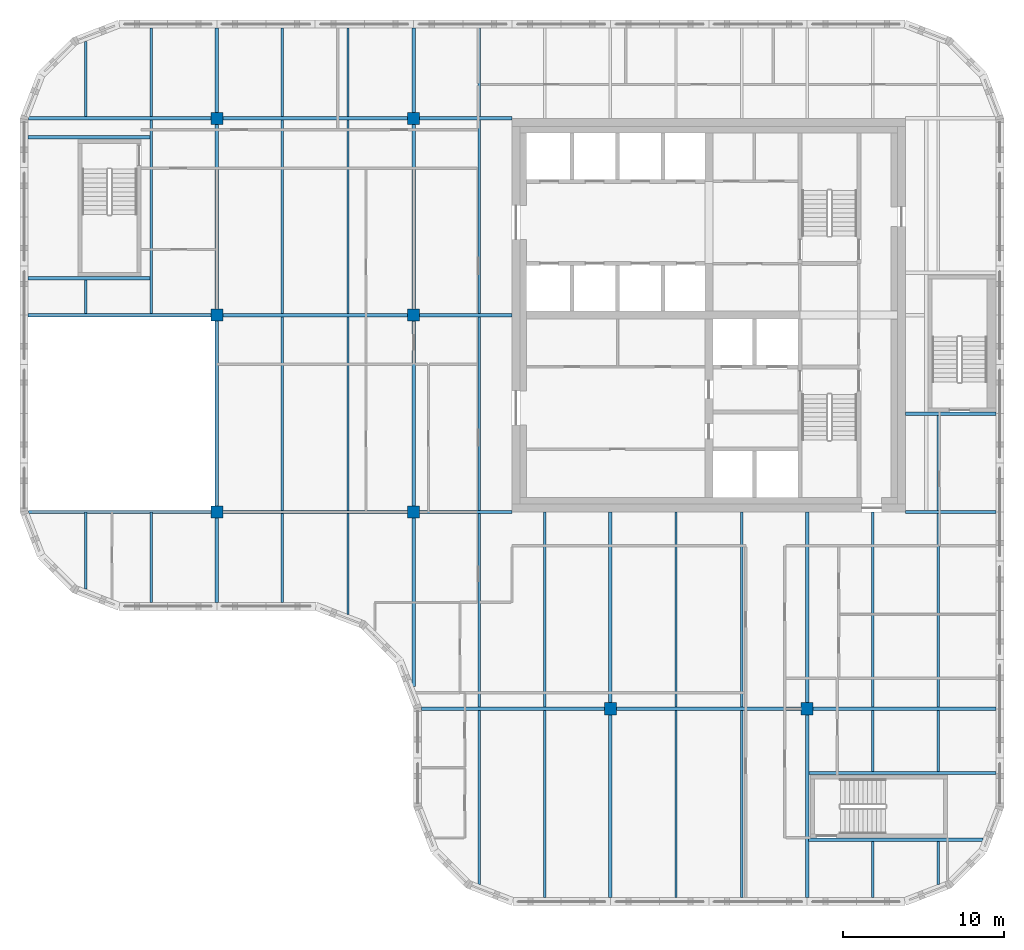
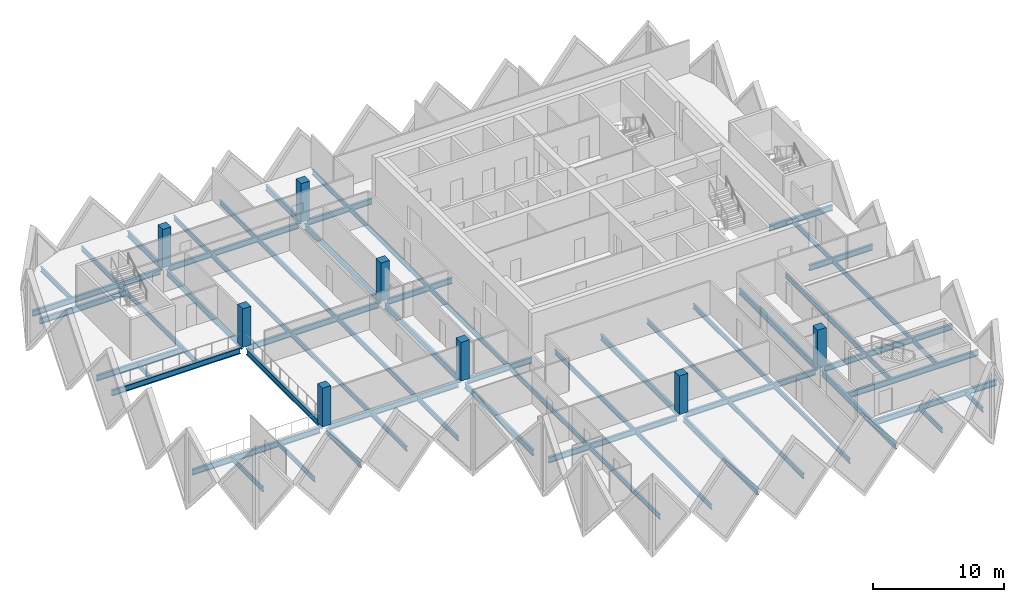
# One storey, part 1 of 11: 62 beams, 8 columns.
"""IFC4 building model written with IfcOpenShell, lengths in metres."""

from ifc_helpers import new_model, si_unit, direction, frame, origin, origin_2d, place, context, subcontext, project, spatial, rectangle, i_section, extrude, material, material_profile, profile_set, type_object, element, save


model = new_model("IFC4")

# Units and contexts
model_context = context("Model", 3, precision=1e-05, world=origin(), true_north=direction((0.0, 1.0)))
body_context = subcontext(model_context, "Body", "Model", "MODEL_VIEW")
ifc_project = project(units=[si_unit("LENGTHUNIT", "METRE"), si_unit("AREAUNIT", "SQUARE_METRE"), si_unit("VOLUMEUNIT", "CUBIC_METRE"), si_unit("PLANEANGLEUNIT", "RADIAN"), si_unit("MASSUNIT", "GRAM", prefix="KILO")], contexts=[model_context])

# Site, building, storey
site_placement = place(None, origin())
site = spatial("IfcSite", under=ifc_project, at=site_placement, CompositionType="ELEMENT")
building_placement = place(site_placement, origin())
building = spatial("IfcBuilding", under=site, at=building_placement, Name="Tessera Gate Towers", CompositionType="ELEMENT")
storey_placement = place(building_placement, frame((0.0, 0.0, 201.699951171875)))
storey = spatial("IfcBuildingStorey", under=building, at=storey_placement, Name="L50", CompositionType="ELEMENT", Elevation=201.699951171875)

# Columns
ifc_material_1 = material(Name="Concrete C70/85", Category="concrete")
ifc_material_profile_1 = material_profile(ifc_material_1, rectangle(XDim=0.75, YDim=0.75, at=origin_2d()), Name="RC 750x750")
ifc_profile_set_1 = profile_set([ifc_material_profile_1], Name="Concrete C70/85")
column_type = type_object("IfcColumnType", Name="COLUMN RC 750x750", PredefinedType="COLUMN", material=ifc_profile_set_1)
for number, where, z_axis, x_axis, name in (
    (1, (12.199951171875, 24.39990234375, 0.0), (0.0, 0.0, 1.0), (1.0, 0.0, 0.0), "T1-COL-2C-L50"),
    (2, (12.199951171875, 36.60009765625, 0.0), (0.0, 0.0, 1.0), (1.0, 0.0, 0.0), "T1-COL-2D-L50"),
    (3, (12.199951171875, 48.800048828125, 0.0), (0.0, 0.0, 1.0), (1.0, 0.0, 0.0), "T1-COL-2E-L50"),
    (4, (24.39990234375, 24.39990234375, 0.0), (0.0, 0.0, 1.0), (1.0, 0.0, 0.0), "T1-COL-3C-L50"),
    (5, (24.39990234375, 36.60009765625, 0.0), (0.0, 0.0, 1.0), (1.0, 0.0, 0.0), "T1-COL-3D-L50"),
    (6, (24.39990234375, 48.800048828125, 0.0), (0.0, 0.0, 1.0), (1.0, 0.0, 0.0), "T1-COL-3E-L50"),
    (7, (36.60009765625, 12.199951171875, 0.0), (0.0, 0.0, 1.0), (1.0, 0.0, 0.0), "T1-COL-4B-L50"),
    (8, (48.800048828125, 12.199951171875, 0.0), (0.0, 0.0, 1.0), (1.0, 0.0, 0.0), "T1-COL-5B-L50"),
):
    element("IfcColumn", number, at=place(storey_placement, frame(where, z_axis=z_axis, x_axis=x_axis)), inside=storey, type_object=column_type, Name=name, PredefinedType="COLUMN", context=body_context, shape_type="SweptSolid", body=[
        extrude(rectangle(XDim=0.75, YDim=0.75, at=origin_2d()), origin(), (0.0, 0.0, 1.0), 3.60009765625),
    ])

# Beams
ifc_material_2 = material(Name="Steel 350W", Category="steel")
ifc_material_profile_2 = material_profile(ifc_material_2, i_section(OverallWidth=0.208984375, OverallDepth=0.532958984375, WebThickness=0.01025390625, FlangeThickness=0.015625, at=origin_2d()), Name="W530x92")
ifc_profile_set_2 = profile_set([ifc_material_profile_2], Name="Steel 350W")
beam_type_1 = type_object("IfcBeamType", Name="FLOOR GIRDER W530x92", PredefinedType="BEAM", material=ifc_profile_set_2)
beam_1_placement = place(storey_placement, frame((24.89892578125, 12.199951171875, -0.466552734375), z_axis=(1.0, 0.0, 0.0), x_axis=(0.0, 1.0, 0.0)))
element("IfcBeam", 9, at=beam_1_placement, inside=storey, type_object=beam_type_1, Name="T1-GD-L50-5256", PredefinedType="BEAM", context=body_context, shape_type="SweptSolid", body=[
    extrude(i_section(OverallWidth=0.208984375, OverallDepth=0.532958984375, WebThickness=0.01025390625, FlangeThickness=0.015625, at=origin_2d()), origin(), (0.0, 0.0, 1.0), 11.326171875),
])
beam_2_placement = place(storey_placement, frame((36.97509765625, 12.199951171875, -0.466552734375), z_axis=(1.0, 0.0, 0.0), x_axis=(0.0, 1.0, 0.0)))
element("IfcBeam", 10, at=beam_2_placement, inside=storey, type_object=beam_type_1, Name="T1-GD-L50-5257", PredefinedType="BEAM", context=body_context, shape_type="SweptSolid", body=[
    extrude(i_section(OverallWidth=0.208984375, OverallDepth=0.532958984375, WebThickness=0.01025390625, FlangeThickness=0.015625, at=origin_2d()), origin(), (0.0, 0.0, 1.0), 11.449951171875),
])
beam_3_placement = place(storey_placement, frame((49.175048828125, 12.199951171875, -0.466552734375), z_axis=(1.0, 0.0, 0.0), x_axis=(0.0, 1.0, 0.0)))
element("IfcBeam", 11, at=beam_3_placement, inside=storey, type_object=beam_type_1, Name="T1-GD-L50-5258", PredefinedType="BEAM", context=body_context, shape_type="SweptSolid", body=[
    extrude(i_section(OverallWidth=0.208984375, OverallDepth=0.532958984375, WebThickness=0.01025390625, FlangeThickness=0.015625, at=origin_2d()), origin(), (0.0, 0.0, 1.0), 11.325927734375),
])
beam_4_placement = place(storey_placement, frame((0.534912109375, 24.39990234375, -0.466552734375), z_axis=(1.0, 0.0, 0.0), x_axis=(0.0, 1.0, 0.0)))
element("IfcBeam", 12, at=beam_4_placement, inside=storey, type_object=beam_type_1, Name="T1-GD-L50-5259", PredefinedType="BEAM", context=body_context, shape_type="SweptSolid", body=[
    extrude(i_section(OverallWidth=0.208984375, OverallDepth=0.532958984375, WebThickness=0.01025390625, FlangeThickness=0.015625, at=origin_2d()), origin(), (0.0, 0.0, 1.0), 11.2900390625),
])
beam_5_placement = place(storey_placement, frame((12.574951171875, 24.39990234375, -0.466552734375), z_axis=(1.0, 0.0, 0.0), x_axis=(0.0, 1.0, 0.0)))
element("IfcBeam", 13, at=beam_5_placement, inside=storey, type_object=beam_type_1, Name="T1-GD-L50-5260", PredefinedType="BEAM", context=body_context, shape_type="SweptSolid", body=[
    extrude(i_section(OverallWidth=0.208984375, OverallDepth=0.532958984375, WebThickness=0.01025390625, FlangeThickness=0.015625, at=origin_2d()), origin(), (0.0, 0.0, 1.0), 11.449951171875),
])
beam_6_placement = place(storey_placement, frame((24.77490234375, 24.39990234375, -0.466552734375), z_axis=(1.0, 0.0, 0.0), x_axis=(0.0, 1.0, 0.0)))
element("IfcBeam", 14, at=beam_6_placement, inside=storey, type_object=beam_type_1, Name="T1-GD-L50-5261", PredefinedType="BEAM", context=body_context, shape_type="SweptSolid", body=[
    extrude(i_section(OverallWidth=0.208984375, OverallDepth=0.532958984375, WebThickness=0.01025390625, FlangeThickness=0.015625, at=origin_2d()), origin(), (0.0, 0.0, 1.0), 5.72412109375),
])
beam_7_placement = place(storey_placement, frame((54.90087890625, 24.39990234375, -0.466552734375), z_axis=(1.0, 0.0, 0.0), x_axis=(0.0, 1.0, 0.0)))
element("IfcBeam", 15, at=beam_7_placement, inside=storey, type_object=beam_type_1, Name="T1-GD-L50-5262", PredefinedType="BEAM", context=body_context, shape_type="SweptSolid", body=[
    extrude(i_section(OverallWidth=0.208984375, OverallDepth=0.532958984375, WebThickness=0.01025390625, FlangeThickness=0.015625, at=origin_2d()), origin(), (0.0, 0.0, 1.0), 5.60009765625),
])
beam_8_placement = place(storey_placement, frame((0.4990234375, 36.60009765625, -0.466552734375), z_axis=(1.0, 0.0, 0.0), x_axis=(0.0, 1.0, 0.0)))
element("IfcBeam", 16, at=beam_8_placement, inside=storey, type_object=beam_type_1, Name="T1-GD-L50-5263", PredefinedType="BEAM", context=body_context, shape_type="SweptSolid", body=[
    extrude(i_section(OverallWidth=0.208984375, OverallDepth=0.532958984375, WebThickness=0.01025390625, FlangeThickness=0.015625, at=origin_2d()), origin(), (0.0, 0.0, 1.0), 11.325927734375),
])
beam_9_placement = place(storey_placement, frame((12.574951171875, 36.60009765625, -0.466552734375), z_axis=(1.0, 0.0, 0.0), x_axis=(0.0, 1.0, 0.0)))
element("IfcBeam", 17, at=beam_9_placement, inside=storey, type_object=beam_type_1, Name="T1-GD-L50-5264", PredefinedType="BEAM", context=body_context, shape_type="SweptSolid", body=[
    extrude(i_section(OverallWidth=0.208984375, OverallDepth=0.532958984375, WebThickness=0.01025390625, FlangeThickness=0.015625, at=origin_2d()), origin(), (0.0, 0.0, 1.0), 11.449951171875),
])
beam_10_placement = place(storey_placement, frame((24.77490234375, 36.60009765625, -0.466552734375), z_axis=(1.0, 0.0, 0.0), x_axis=(0.0, 1.0, 0.0)))
element("IfcBeam", 18, at=beam_10_placement, inside=storey, type_object=beam_type_1, Name="T1-GD-L50-5265", PredefinedType="BEAM", context=body_context, shape_type="SweptSolid", body=[
    extrude(i_section(OverallWidth=0.208984375, OverallDepth=0.532958984375, WebThickness=0.01025390625, FlangeThickness=0.015625, at=origin_2d()), origin(), (0.0, 0.0, 1.0), 5.72607421875),
])
beam_11_placement = place(storey_placement, frame((0.534912109375, 48.800048828125, -0.466552734375), z_axis=(1.0, 0.0, 0.0), x_axis=(0.0, 1.0, 0.0)))
element("IfcBeam", 19, at=beam_11_placement, inside=storey, type_object=beam_type_1, Name="T1-GD-L50-5267", PredefinedType="BEAM", context=body_context, shape_type="SweptSolid", body=[
    extrude(i_section(OverallWidth=0.208984375, OverallDepth=0.532958984375, WebThickness=0.01025390625, FlangeThickness=0.015625, at=origin_2d()), origin(), (0.0, 0.0, 1.0), 11.2900390625),
])
beam_12_placement = place(storey_placement, frame((12.574951171875, 48.800048828125, -0.466552734375), z_axis=(1.0, 0.0, 0.0), x_axis=(0.0, 1.0, 0.0)))
element("IfcBeam", 20, at=beam_12_placement, inside=storey, type_object=beam_type_1, Name="T1-GD-L50-5268", PredefinedType="BEAM", context=body_context, shape_type="SweptSolid", body=[
    extrude(i_section(OverallWidth=0.208984375, OverallDepth=0.532958984375, WebThickness=0.01025390625, FlangeThickness=0.015625, at=origin_2d()), origin(), (0.0, 0.0, 1.0), 11.449951171875),
])
beam_13_placement = place(storey_placement, frame((24.77490234375, 48.800048828125, -0.466552734375), z_axis=(1.0, 0.0, 0.0), x_axis=(0.0, 1.0, 0.0)))
element("IfcBeam", 21, at=beam_13_placement, inside=storey, type_object=beam_type_1, Name="T1-GD-L50-5269", PredefinedType="BEAM", context=body_context, shape_type="SweptSolid", body=[
    extrude(i_section(OverallWidth=0.208984375, OverallDepth=0.532958984375, WebThickness=0.01025390625, FlangeThickness=0.015625, at=origin_2d()), origin(), (0.0, 0.0, 1.0), 5.72412109375),
])
beam_14_placement = place(storey_placement, frame((12.199951171875, 18.799072265625, -0.466552734375), z_axis=(0.0, 1.0, 0.0), x_axis=(-1.0, 0.0, 0.0)))
element("IfcBeam", 22, at=beam_14_placement, inside=storey, type_object=beam_type_1, Name="T1-GD-L50-5271", PredefinedType="BEAM", context=body_context, shape_type="SweptSolid", body=[
    extrude(i_section(OverallWidth=0.208984375, OverallDepth=0.532958984375, WebThickness=0.01025390625, FlangeThickness=0.015625, at=origin_2d()), origin(), (0.0, 0.0, 1.0), 5.225830078125),
])
beam_15_placement = place(storey_placement, frame((12.199951171875, 24.77490234375, -0.466552734375), z_axis=(0.0, 1.0, 0.0), x_axis=(-1.0, 0.0, 0.0)))
element("IfcBeam", 23, at=beam_15_placement, inside=storey, type_object=beam_type_1, Name="T1-GD-L50-5272", PredefinedType="BEAM", context=body_context, shape_type="SweptSolid", body=[
    extrude(i_section(OverallWidth=0.208984375, OverallDepth=0.532958984375, WebThickness=0.01025390625, FlangeThickness=0.015625, at=origin_2d()), origin(), (0.0, 0.0, 1.0), 11.4501953125),
])
beam_16_placement = place(storey_placement, frame((12.199951171875, 36.97509765625, -0.466552734375), z_axis=(0.0, 1.0, 0.0), x_axis=(-1.0, 0.0, 0.0)))
element("IfcBeam", 24, at=beam_16_placement, inside=storey, type_object=beam_type_1, Name="T1-GD-L50-5273", PredefinedType="BEAM", context=body_context, shape_type="SweptSolid", body=[
    extrude(i_section(OverallWidth=0.208984375, OverallDepth=0.532958984375, WebThickness=0.01025390625, FlangeThickness=0.015625, at=origin_2d()), origin(), (0.0, 0.0, 1.0), 11.449951171875),
])
beam_17_placement = place(storey_placement, frame((12.199951171875, 49.175048828125, -0.466552734375), z_axis=(0.0, 1.0, 0.0), x_axis=(-1.0, 0.0, 0.0)))
element("IfcBeam", 25, at=beam_17_placement, inside=storey, type_object=beam_type_1, Name="T1-GD-L50-5274", PredefinedType="BEAM", context=body_context, shape_type="SweptSolid", body=[
    extrude(i_section(OverallWidth=0.208984375, OverallDepth=0.532958984375, WebThickness=0.01025390625, FlangeThickness=0.015625, at=origin_2d()), origin(), (0.0, 0.0, 1.0), 5.225830078125),
])
beam_18_placement = place(storey_placement, frame((24.39990234375, 13.58642578125, -0.466552734375), z_axis=(0.0, 1.0, 0.0), x_axis=(-1.0, 0.0, 0.0)))
element("IfcBeam", 26, at=beam_18_placement, inside=storey, type_object=beam_type_1, Name="T1-GD-L50-5275", PredefinedType="BEAM", context=body_context, shape_type="SweptSolid", body=[
    extrude(i_section(OverallWidth=0.208984375, OverallDepth=0.532958984375, WebThickness=0.01025390625, FlangeThickness=0.015625, at=origin_2d()), origin(), (0.0, 0.0, 1.0), 10.4384765625),
])
beam_19_placement = place(storey_placement, frame((24.39990234375, 24.77490234375, -0.466552734375), z_axis=(0.0, 1.0, 0.0), x_axis=(-1.0, 0.0, 0.0)))
element("IfcBeam", 27, at=beam_19_placement, inside=storey, type_object=beam_type_1, Name="T1-GD-L50-5276", PredefinedType="BEAM", context=body_context, shape_type="SweptSolid", body=[
    extrude(i_section(OverallWidth=0.208984375, OverallDepth=0.532958984375, WebThickness=0.01025390625, FlangeThickness=0.015625, at=origin_2d()), origin(), (0.0, 0.0, 1.0), 11.4501953125),
])
beam_20_placement = place(storey_placement, frame((24.39990234375, 36.97509765625, -0.466552734375), z_axis=(0.0, 1.0, 0.0), x_axis=(-1.0, 0.0, 0.0)))
element("IfcBeam", 28, at=beam_20_placement, inside=storey, type_object=beam_type_1, Name="T1-GD-L50-5277", PredefinedType="BEAM", context=body_context, shape_type="SweptSolid", body=[
    extrude(i_section(OverallWidth=0.208984375, OverallDepth=0.532958984375, WebThickness=0.01025390625, FlangeThickness=0.015625, at=origin_2d()), origin(), (0.0, 0.0, 1.0), 11.449951171875),
])
beam_21_placement = place(storey_placement, frame((24.39990234375, 49.175048828125, -0.466552734375), z_axis=(0.0, 1.0, 0.0), x_axis=(-1.0, 0.0, 0.0)))
element("IfcBeam", 29, at=beam_21_placement, inside=storey, type_object=beam_type_1, Name="T1-GD-L50-5278", PredefinedType="BEAM", context=body_context, shape_type="SweptSolid", body=[
    extrude(i_section(OverallWidth=0.208984375, OverallDepth=0.532958984375, WebThickness=0.01025390625, FlangeThickness=0.015625, at=origin_2d()), origin(), (0.0, 0.0, 1.0), 5.225830078125),
])
beam_22_placement = place(storey_placement, frame((36.60009765625, 0.4990234375, -0.466552734375), z_axis=(0.0, 1.0, 0.0), x_axis=(-1.0, 0.0, 0.0)))
element("IfcBeam", 30, at=beam_22_placement, inside=storey, type_object=beam_type_1, Name="T1-GD-L50-5279", PredefinedType="BEAM", context=body_context, shape_type="SweptSolid", body=[
    extrude(i_section(OverallWidth=0.208984375, OverallDepth=0.532958984375, WebThickness=0.01025390625, FlangeThickness=0.015625, at=origin_2d()), origin(), (0.0, 0.0, 1.0), 11.325927734375),
])
beam_23_placement = place(storey_placement, frame((36.60009765625, 12.574951171875, -0.466552734375), z_axis=(0.0, 1.0, 0.0), x_axis=(-1.0, 0.0, 0.0)))
element("IfcBeam", 31, at=beam_23_placement, inside=storey, type_object=beam_type_1, Name="T1-GD-L50-5280", PredefinedType="BEAM", context=body_context, shape_type="SweptSolid", body=[
    extrude(i_section(OverallWidth=0.208984375, OverallDepth=0.532958984375, WebThickness=0.01025390625, FlangeThickness=0.015625, at=origin_2d()), origin(), (0.0, 0.0, 1.0), 11.824951171875),
])
beam_24_placement = place(storey_placement, frame((48.800048828125, 0.4990234375, -0.466552734375), z_axis=(0.0, 1.0, 0.0), x_axis=(-1.0, 0.0, 0.0)))
element("IfcBeam", 32, at=beam_24_placement, inside=storey, type_object=beam_type_1, Name="T1-GD-L50-5281", PredefinedType="BEAM", context=body_context, shape_type="SweptSolid", body=[
    extrude(i_section(OverallWidth=0.208984375, OverallDepth=0.532958984375, WebThickness=0.01025390625, FlangeThickness=0.015625, at=origin_2d()), origin(), (0.0, 0.0, 1.0), 11.325927734375),
])
beam_25_placement = place(storey_placement, frame((48.800048828125, 12.574951171875, -0.466552734375), z_axis=(0.0, 1.0, 0.0), x_axis=(-1.0, 0.0, 0.0)))
element("IfcBeam", 33, at=beam_25_placement, inside=storey, type_object=beam_type_1, Name="T1-GD-L50-5282", PredefinedType="BEAM", context=body_context, shape_type="SweptSolid", body=[
    extrude(i_section(OverallWidth=0.208984375, OverallDepth=0.532958984375, WebThickness=0.01025390625, FlangeThickness=0.015625, at=origin_2d()), origin(), (0.0, 0.0, 1.0), 11.824951171875),
])
for number, where, z_axis, x_axis, name in (
    (34, (0.4990234375, 38.8798828125, -0.466552734375), (1.0, 0.0, 0.0), (0.0, 1.0, 0.0), "T1-GD-L50-5283"),
    (35, (0.4990234375, 47.6201171875, -0.466552734375), (1.0, 0.0, 0.0), (0.0, 1.0, 0.0), "T1-GD-L50-5284"),
):
    element("IfcBeam", number, at=place(storey_placement, frame(where, z_axis=z_axis, x_axis=x_axis)), inside=storey, type_object=beam_type_1, Name=name, PredefinedType="BEAM", context=body_context, shape_type="SweptSolid", body=[
        extrude(i_section(OverallWidth=0.208984375, OverallDepth=0.532958984375, WebThickness=0.01025390625, FlangeThickness=0.015625, at=origin_2d()), origin(), (0.0, 0.0, 1.0), 7.557861328125),
    ])
beam_26_placement = place(storey_placement, frame((48.87646484375, 4.080078125, -0.466552734375), z_axis=(1.0, 0.0, 0.0), x_axis=(0.0, 1.0, 0.0)))
element("IfcBeam", 36, at=beam_26_placement, inside=storey, type_object=beam_type_1, Name="T1-GD-L50-5285", PredefinedType="BEAM", context=body_context, shape_type="SweptSolid", body=[
    extrude(i_section(OverallWidth=0.208984375, OverallDepth=0.532958984375, WebThickness=0.01025390625, FlangeThickness=0.015625, at=origin_2d()), origin(), (0.0, 0.0, 1.0), 10.809326171875),
])
beam_27_placement = place(storey_placement, frame((48.87646484375, 8.219970703125, -0.466552734375), z_axis=(1.0, 0.0, 0.0), x_axis=(0.0, 1.0, 0.0)))
element("IfcBeam", 37, at=beam_27_placement, inside=storey, type_object=beam_type_1, Name="T1-GD-L50-5286", PredefinedType="BEAM", context=body_context, shape_type="SweptSolid", body=[
    extrude(i_section(OverallWidth=0.208984375, OverallDepth=0.532958984375, WebThickness=0.01025390625, FlangeThickness=0.015625, at=origin_2d()), origin(), (0.0, 0.0, 1.0), 11.62451171875),
])
beam_28_placement = place(storey_placement, frame((54.89892578125, 30.47998046875, -0.466552734375), z_axis=(1.0, 0.0, 0.0), x_axis=(0.0, 1.0, 0.0)))
element("IfcBeam", 38, at=beam_28_placement, inside=storey, type_object=beam_type_1, Name="T1-GD-L50-5287", PredefinedType="BEAM", context=body_context, shape_type="SweptSolid", body=[
    extrude(i_section(OverallWidth=0.208984375, OverallDepth=0.532958984375, WebThickness=0.01025390625, FlangeThickness=0.015625, at=origin_2d()), origin(), (0.0, 0.0, 1.0), 5.60205078125),
])
ifc_material_3 = material(Name="Steel 350W", Category="steel")
ifc_material_profile_3 = material_profile(ifc_material_3, i_section(OverallWidth=0.153076171875, OverallDepth=0.455078125, WebThickness=0.008056640625, FlangeThickness=0.01318359375, at=origin_2d()), Name="W460x60")
ifc_profile_set_3 = profile_set([ifc_material_profile_3], Name="Steel 350W")
beam_type_2 = type_object("IfcBeamType", Name="FLOOR SECONDARY W460x60", PredefinedType="BEAM", material=ifc_profile_set_3)
beam_29_placement = place(storey_placement, frame((4.066650390625, 19.620361328125, -0.427490234375), z_axis=(0.0, 1.0, 0.0), x_axis=(-1.0, 0.0, 0.0)))
element("IfcBeam", 39, at=beam_29_placement, inside=storey, type_object=beam_type_2, Name="T1-BM-L50-5290", PredefinedType="BEAM", context=body_context, shape_type="SweptSolid", body=[
    extrude(i_section(OverallWidth=0.153076171875, OverallDepth=0.455078125, WebThickness=0.008056640625, FlangeThickness=0.01318359375, at=origin_2d()), origin(), (0.0, 0.0, 1.0), 4.779541015625),
])
beam_30_placement = place(storey_placement, frame((4.066650390625, 36.70458984375, -0.427490234375), z_axis=(0.0, 1.0, 0.0), x_axis=(-1.0, 0.0, 0.0)))
element("IfcBeam", 40, at=beam_30_placement, inside=storey, type_object=beam_type_2, Name="T1-BM-L50-5291", PredefinedType="BEAM", context=body_context, shape_type="SweptSolid", body=[
    extrude(i_section(OverallWidth=0.153076171875, OverallDepth=0.455078125, WebThickness=0.008056640625, FlangeThickness=0.01318359375, at=origin_2d()), origin(), (0.0, 0.0, 1.0), 2.07080078125),
])
beam_31_placement = place(storey_placement, frame((4.066650390625, 48.904541015625, -0.427490234375), z_axis=(0.0, 1.0, 0.0), x_axis=(-1.0, 0.0, 0.0)))
element("IfcBeam", 41, at=beam_31_placement, inside=storey, type_object=beam_type_2, Name="T1-BM-L50-5292", PredefinedType="BEAM", context=body_context, shape_type="SweptSolid", body=[
    extrude(i_section(OverallWidth=0.153076171875, OverallDepth=0.455078125, WebThickness=0.008056640625, FlangeThickness=0.01318359375, at=origin_2d()), origin(), (0.0, 0.0, 1.0), 4.675048828125),
])
beam_32_placement = place(storey_placement, frame((8.13330078125, 18.800048828125, -0.427490234375), z_axis=(0.0, 1.0, 0.0), x_axis=(-1.0, 0.0, 0.0)))
element("IfcBeam", 42, at=beam_32_placement, inside=storey, type_object=beam_type_2, Name="T1-BM-L50-5293", PredefinedType="BEAM", context=body_context, shape_type="SweptSolid", body=[
    extrude(i_section(OverallWidth=0.153076171875, OverallDepth=0.455078125, WebThickness=0.008056640625, FlangeThickness=0.01318359375, at=origin_2d()), origin(), (0.0, 0.0, 1.0), 5.599853515625),
])
beam_33_placement = place(storey_placement, frame((8.13330078125, 36.70458984375, -0.427490234375), z_axis=(0.0, 1.0, 0.0), x_axis=(-1.0, 0.0, 0.0)))
element("IfcBeam", 43, at=beam_33_placement, inside=storey, type_object=beam_type_2, Name="T1-BM-L50-5294", PredefinedType="BEAM", context=body_context, shape_type="SweptSolid", body=[
    extrude(i_section(OverallWidth=0.153076171875, OverallDepth=0.455078125, WebThickness=0.008056640625, FlangeThickness=0.01318359375, at=origin_2d()), origin(), (0.0, 0.0, 1.0), 11.990966796875),
])
for number, where, z_axis, x_axis, name in (
    (44, (8.13330078125, 48.904541015625, -0.427490234375), (0.0, 1.0, 0.0), (-1.0, 0.0, 0.0), "T1-BM-L50-5295"),
    (45, (16.2666015625, 18.800048828125, -0.427490234375), (0.0, 1.0, 0.0), (-1.0, 0.0, 0.0), "T1-BM-L50-5296"),
):
    element("IfcBeam", number, at=place(storey_placement, frame(where, z_axis=z_axis, x_axis=x_axis)), inside=storey, type_object=beam_type_2, Name=name, PredefinedType="BEAM", context=body_context, shape_type="SweptSolid", body=[
        extrude(i_section(OverallWidth=0.153076171875, OverallDepth=0.455078125, WebThickness=0.008056640625, FlangeThickness=0.01318359375, at=origin_2d()), origin(), (0.0, 0.0, 1.0), 5.495361328125),
    ])
beam_34_placement = place(storey_placement, frame((16.2666015625, 24.50439453125, -0.427490234375), z_axis=(0.0, 1.0, 0.0), x_axis=(-1.0, 0.0, 0.0)))
element("IfcBeam", 46, at=beam_34_placement, inside=storey, type_object=beam_type_2, Name="T1-BM-L50-5297", PredefinedType="BEAM", context=body_context, shape_type="SweptSolid", body=[
    extrude(i_section(OverallWidth=0.153076171875, OverallDepth=0.455078125, WebThickness=0.008056640625, FlangeThickness=0.01318359375, at=origin_2d()), origin(), (0.0, 0.0, 1.0), 11.9912109375),
])
beam_35_placement = place(storey_placement, frame((16.2666015625, 36.70458984375, -0.427490234375), z_axis=(0.0, 1.0, 0.0), x_axis=(-1.0, 0.0, 0.0)))
element("IfcBeam", 47, at=beam_35_placement, inside=storey, type_object=beam_type_2, Name="T1-BM-L50-5298", PredefinedType="BEAM", context=body_context, shape_type="SweptSolid", body=[
    extrude(i_section(OverallWidth=0.153076171875, OverallDepth=0.455078125, WebThickness=0.008056640625, FlangeThickness=0.01318359375, at=origin_2d()), origin(), (0.0, 0.0, 1.0), 11.990966796875),
])
beam_36_placement = place(storey_placement, frame((16.2666015625, 48.904541015625, -0.427490234375), z_axis=(0.0, 1.0, 0.0), x_axis=(-1.0, 0.0, 0.0)))
element("IfcBeam", 48, at=beam_36_placement, inside=storey, type_object=beam_type_2, Name="T1-BM-L50-5299", PredefinedType="BEAM", context=body_context, shape_type="SweptSolid", body=[
    extrude(i_section(OverallWidth=0.153076171875, OverallDepth=0.455078125, WebThickness=0.008056640625, FlangeThickness=0.01318359375, at=origin_2d()), origin(), (0.0, 0.0, 1.0), 5.495361328125),
])
beam_37_placement = place(storey_placement, frame((20.333251953125, 18.051513671875, -0.427490234375), z_axis=(0.0, 1.0, 0.0), x_axis=(-1.0, 0.0, 0.0)))
element("IfcBeam", 49, at=beam_37_placement, inside=storey, type_object=beam_type_2, Name="T1-BM-L50-5300", PredefinedType="BEAM", context=body_context, shape_type="SweptSolid", body=[
    extrude(i_section(OverallWidth=0.153076171875, OverallDepth=0.455078125, WebThickness=0.008056640625, FlangeThickness=0.01318359375, at=origin_2d()), origin(), (0.0, 0.0, 1.0), 6.243896484375),
])
beam_38_placement = place(storey_placement, frame((20.333251953125, 24.50439453125, -0.427490234375), z_axis=(0.0, 1.0, 0.0), x_axis=(-1.0, 0.0, 0.0)))
element("IfcBeam", 50, at=beam_38_placement, inside=storey, type_object=beam_type_2, Name="T1-BM-L50-5301", PredefinedType="BEAM", context=body_context, shape_type="SweptSolid", body=[
    extrude(i_section(OverallWidth=0.153076171875, OverallDepth=0.455078125, WebThickness=0.008056640625, FlangeThickness=0.01318359375, at=origin_2d()), origin(), (0.0, 0.0, 1.0), 11.9912109375),
])
beam_39_placement = place(storey_placement, frame((20.333251953125, 36.70458984375, -0.427490234375), z_axis=(0.0, 1.0, 0.0), x_axis=(-1.0, 0.0, 0.0)))
element("IfcBeam", 51, at=beam_39_placement, inside=storey, type_object=beam_type_2, Name="T1-BM-L50-5302", PredefinedType="BEAM", context=body_context, shape_type="SweptSolid", body=[
    extrude(i_section(OverallWidth=0.153076171875, OverallDepth=0.455078125, WebThickness=0.008056640625, FlangeThickness=0.01318359375, at=origin_2d()), origin(), (0.0, 0.0, 1.0), 11.990966796875),
])
beam_40_placement = place(storey_placement, frame((20.333251953125, 48.904541015625, -0.427490234375), z_axis=(0.0, 1.0, 0.0), x_axis=(-1.0, 0.0, 0.0)))
element("IfcBeam", 52, at=beam_40_placement, inside=storey, type_object=beam_type_2, Name="T1-BM-L50-5303", PredefinedType="BEAM", context=body_context, shape_type="SweptSolid", body=[
    extrude(i_section(OverallWidth=0.153076171875, OverallDepth=0.455078125, WebThickness=0.008056640625, FlangeThickness=0.01318359375, at=origin_2d()), origin(), (0.0, 0.0, 1.0), 5.495361328125),
])
beam_41_placement = place(storey_placement, frame((28.466796875, 1.3203125, -0.427490234375), z_axis=(0.0, 1.0, 0.0), x_axis=(-1.0, 0.0, 0.0)))
element("IfcBeam", 53, at=beam_41_placement, inside=storey, type_object=beam_type_2, Name="T1-BM-L50-5304", PredefinedType="BEAM", context=body_context, shape_type="SweptSolid", body=[
    extrude(i_section(OverallWidth=0.153076171875, OverallDepth=0.455078125, WebThickness=0.008056640625, FlangeThickness=0.01318359375, at=origin_2d()), origin(), (0.0, 0.0, 1.0), 10.775146484375),
])
beam_42_placement = place(storey_placement, frame((28.466796875, 12.304443359375, -0.427490234375), z_axis=(0.0, 1.0, 0.0), x_axis=(-1.0, 0.0, 0.0)))
element("IfcBeam", 54, at=beam_42_placement, inside=storey, type_object=beam_type_2, Name="T1-BM-L50-5305", PredefinedType="BEAM", context=body_context, shape_type="SweptSolid", body=[
    extrude(i_section(OverallWidth=0.153076171875, OverallDepth=0.455078125, WebThickness=0.008056640625, FlangeThickness=0.01318359375, at=origin_2d()), origin(), (0.0, 0.0, 1.0), 11.990966796875),
])
beam_43_placement = place(storey_placement, frame((28.466796875, 24.50439453125, -0.427490234375), z_axis=(0.0, 1.0, 0.0), x_axis=(-1.0, 0.0, 0.0)))
element("IfcBeam", 55, at=beam_43_placement, inside=storey, type_object=beam_type_2, Name="T1-BM-L50-5306", PredefinedType="BEAM", context=body_context, shape_type="SweptSolid", body=[
    extrude(i_section(OverallWidth=0.153076171875, OverallDepth=0.455078125, WebThickness=0.008056640625, FlangeThickness=0.01318359375, at=origin_2d()), origin(), (0.0, 0.0, 1.0), 11.9912109375),
])
beam_44_placement = place(storey_placement, frame((28.466796875, 36.70458984375, -0.427490234375), z_axis=(0.0, 1.0, 0.0), x_axis=(-1.0, 0.0, 0.0)))
element("IfcBeam", 56, at=beam_44_placement, inside=storey, type_object=beam_type_2, Name="T1-BM-L50-5307", PredefinedType="BEAM", context=body_context, shape_type="SweptSolid", body=[
    extrude(i_section(OverallWidth=0.153076171875, OverallDepth=0.455078125, WebThickness=0.008056640625, FlangeThickness=0.01318359375, at=origin_2d()), origin(), (0.0, 0.0, 1.0), 11.990966796875),
])
beam_45_placement = place(storey_placement, frame((28.466796875, 48.904541015625, -0.427490234375), z_axis=(0.0, 1.0, 0.0), x_axis=(-1.0, 0.0, 0.0)))
element("IfcBeam", 57, at=beam_45_placement, inside=storey, type_object=beam_type_2, Name="T1-BM-L50-5308", PredefinedType="BEAM", context=body_context, shape_type="SweptSolid", body=[
    extrude(i_section(OverallWidth=0.153076171875, OverallDepth=0.455078125, WebThickness=0.008056640625, FlangeThickness=0.01318359375, at=origin_2d()), origin(), (0.0, 0.0, 1.0), 5.495361328125),
])
beam_46_placement = place(storey_placement, frame((32.533203125, 0.5, -0.427490234375), z_axis=(0.0, 1.0, 0.0), x_axis=(-1.0, 0.0, 0.0)))
element("IfcBeam", 58, at=beam_46_placement, inside=storey, type_object=beam_type_2, Name="T1-BM-L50-5309", PredefinedType="BEAM", context=body_context, shape_type="SweptSolid", body=[
    extrude(i_section(OverallWidth=0.153076171875, OverallDepth=0.455078125, WebThickness=0.008056640625, FlangeThickness=0.01318359375, at=origin_2d()), origin(), (0.0, 0.0, 1.0), 11.595458984375),
])
beam_47_placement = place(storey_placement, frame((32.533203125, 12.304443359375, -0.427490234375), z_axis=(0.0, 1.0, 0.0), x_axis=(-1.0, 0.0, 0.0)))
element("IfcBeam", 59, at=beam_47_placement, inside=storey, type_object=beam_type_2, Name="T1-BM-L50-5310", PredefinedType="BEAM", context=body_context, shape_type="SweptSolid", body=[
    extrude(i_section(OverallWidth=0.153076171875, OverallDepth=0.455078125, WebThickness=0.008056640625, FlangeThickness=0.01318359375, at=origin_2d()), origin(), (0.0, 0.0, 1.0), 12.095458984375),
])
beam_48_placement = place(storey_placement, frame((40.666748046875, 0.5, -0.427490234375), z_axis=(0.0, 1.0, 0.0), x_axis=(-1.0, 0.0, 0.0)))
element("IfcBeam", 60, at=beam_48_placement, inside=storey, type_object=beam_type_2, Name="T1-BM-L50-5313", PredefinedType="BEAM", context=body_context, shape_type="SweptSolid", body=[
    extrude(i_section(OverallWidth=0.153076171875, OverallDepth=0.455078125, WebThickness=0.008056640625, FlangeThickness=0.01318359375, at=origin_2d()), origin(), (0.0, 0.0, 1.0), 11.595458984375),
])
beam_49_placement = place(storey_placement, frame((40.666748046875, 12.304443359375, -0.427490234375), z_axis=(0.0, 1.0, 0.0), x_axis=(-1.0, 0.0, 0.0)))
element("IfcBeam", 61, at=beam_49_placement, inside=storey, type_object=beam_type_2, Name="T1-BM-L50-5314", PredefinedType="BEAM", context=body_context, shape_type="SweptSolid", body=[
    extrude(i_section(OverallWidth=0.153076171875, OverallDepth=0.455078125, WebThickness=0.008056640625, FlangeThickness=0.01318359375, at=origin_2d()), origin(), (0.0, 0.0, 1.0), 12.095458984375),
])
beam_50_placement = place(storey_placement, frame((44.7333984375, 0.5, -0.427490234375), z_axis=(0.0, 1.0, 0.0), x_axis=(-1.0, 0.0, 0.0)))
element("IfcBeam", 62, at=beam_50_placement, inside=storey, type_object=beam_type_2, Name="T1-BM-L50-5316", PredefinedType="BEAM", context=body_context, shape_type="SweptSolid", body=[
    extrude(i_section(OverallWidth=0.153076171875, OverallDepth=0.455078125, WebThickness=0.008056640625, FlangeThickness=0.01318359375, at=origin_2d()), origin(), (0.0, 0.0, 1.0), 11.595458984375),
])
beam_51_placement = place(storey_placement, frame((44.7333984375, 12.304443359375, -0.427490234375), z_axis=(0.0, 1.0, 0.0), x_axis=(-1.0, 0.0, 0.0)))
element("IfcBeam", 63, at=beam_51_placement, inside=storey, type_object=beam_type_2, Name="T1-BM-L50-5317", PredefinedType="BEAM", context=body_context, shape_type="SweptSolid", body=[
    extrude(i_section(OverallWidth=0.153076171875, OverallDepth=0.455078125, WebThickness=0.008056640625, FlangeThickness=0.01318359375, at=origin_2d()), origin(), (0.0, 0.0, 1.0), 12.095458984375),
])
beam_52_placement = place(storey_placement, frame((52.86669921875, 0.5, -0.427490234375), z_axis=(0.0, 1.0, 0.0), x_axis=(-1.0, 0.0, 0.0)))
element("IfcBeam", 64, at=beam_52_placement, inside=storey, type_object=beam_type_2, Name="T1-BM-L50-5320", PredefinedType="BEAM", context=body_context, shape_type="SweptSolid", body=[
    extrude(i_section(OverallWidth=0.153076171875, OverallDepth=0.455078125, WebThickness=0.008056640625, FlangeThickness=0.01318359375, at=origin_2d()), origin(), (0.0, 0.0, 1.0), 3.4755859375),
])
beam_53_placement = place(storey_placement, frame((52.86669921875, 8.324462890625, -0.427490234375), z_axis=(0.0, 1.0, 0.0), x_axis=(-1.0, 0.0, 0.0)))
element("IfcBeam", 65, at=beam_53_placement, inside=storey, type_object=beam_type_2, Name="T1-BM-L50-5321", PredefinedType="BEAM", context=body_context, shape_type="SweptSolid", body=[
    extrude(i_section(OverallWidth=0.153076171875, OverallDepth=0.455078125, WebThickness=0.008056640625, FlangeThickness=0.01318359375, at=origin_2d()), origin(), (0.0, 0.0, 1.0), 3.77099609375),
])
beam_54_placement = place(storey_placement, frame((52.86669921875, 12.304443359375, -0.427490234375), z_axis=(0.0, 1.0, 0.0), x_axis=(-1.0, 0.0, 0.0)))
element("IfcBeam", 66, at=beam_54_placement, inside=storey, type_object=beam_type_2, Name="T1-BM-L50-5322", PredefinedType="BEAM", context=body_context, shape_type="SweptSolid", body=[
    extrude(i_section(OverallWidth=0.153076171875, OverallDepth=0.455078125, WebThickness=0.008056640625, FlangeThickness=0.01318359375, at=origin_2d()), origin(), (0.0, 0.0, 1.0), 12.095458984375),
])
beam_55_placement = place(storey_placement, frame((56.933349609375, 1.3203125, -0.427490234375), z_axis=(0.0, 1.0, 0.0), x_axis=(-1.0, 0.0, 0.0)))
element("IfcBeam", 67, at=beam_55_placement, inside=storey, type_object=beam_type_2, Name="T1-BM-L50-5324", PredefinedType="BEAM", context=body_context, shape_type="SweptSolid", body=[
    extrude(i_section(OverallWidth=0.153076171875, OverallDepth=0.455078125, WebThickness=0.008056640625, FlangeThickness=0.01318359375, at=origin_2d()), origin(), (0.0, 0.0, 1.0), 2.6552734375),
])
beam_56_placement = place(storey_placement, frame((56.933349609375, 8.324462890625, -0.427490234375), z_axis=(0.0, 1.0, 0.0), x_axis=(-1.0, 0.0, 0.0)))
element("IfcBeam", 68, at=beam_56_placement, inside=storey, type_object=beam_type_2, Name="T1-BM-L50-5325", PredefinedType="BEAM", context=body_context, shape_type="SweptSolid", body=[
    extrude(i_section(OverallWidth=0.153076171875, OverallDepth=0.455078125, WebThickness=0.008056640625, FlangeThickness=0.01318359375, at=origin_2d()), origin(), (0.0, 0.0, 1.0), 3.77099609375),
])
beam_57_placement = place(storey_placement, frame((56.933349609375, 12.304443359375, -0.427490234375), z_axis=(0.0, 1.0, 0.0), x_axis=(-1.0, 0.0, 0.0)))
element("IfcBeam", 69, at=beam_57_placement, inside=storey, type_object=beam_type_2, Name="T1-BM-L50-5326", PredefinedType="BEAM", context=body_context, shape_type="SweptSolid", body=[
    extrude(i_section(OverallWidth=0.153076171875, OverallDepth=0.455078125, WebThickness=0.008056640625, FlangeThickness=0.01318359375, at=origin_2d()), origin(), (0.0, 0.0, 1.0), 11.990966796875),
])
beam_58_placement = place(storey_placement, frame((56.933349609375, 24.50439453125, -0.427490234375), z_axis=(0.0, 1.0, 0.0), x_axis=(-1.0, 0.0, 0.0)))
element("IfcBeam", 70, at=beam_58_placement, inside=storey, type_object=beam_type_2, Name="T1-BM-L50-5327", PredefinedType="BEAM", context=body_context, shape_type="SweptSolid", body=[
    extrude(i_section(OverallWidth=0.153076171875, OverallDepth=0.455078125, WebThickness=0.008056640625, FlangeThickness=0.01318359375, at=origin_2d()), origin(), (0.0, 0.0, 1.0), 5.87109375),
])

save(model, "model.ifc")
